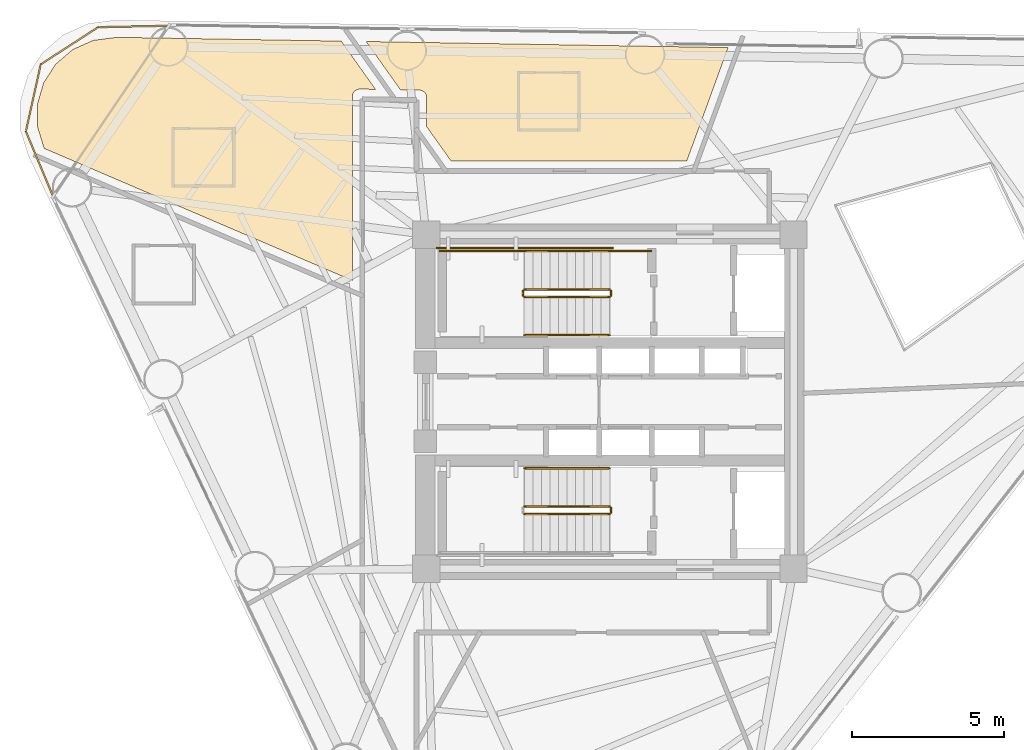
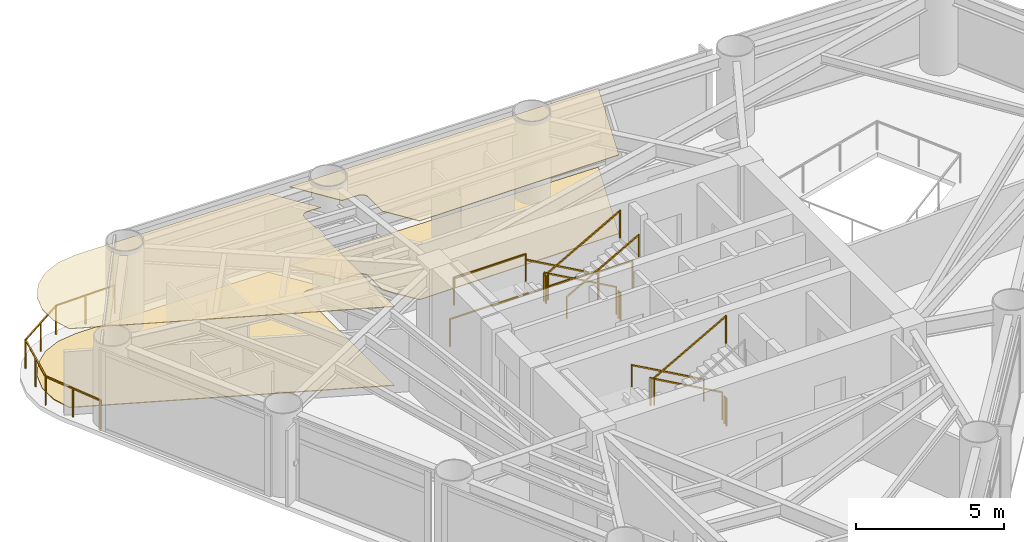
# One storey, part 9 of 10: 14 railings, 4 coverings.
"""IFC4 building model written with IfcOpenShell, lengths in metres."""

from ifc_helpers import new_model, si_unit, direction, frame, origin, origin_2d, place, context, subcontext, project, spatial, polyline, rectangle, outline, extrude, material, layer, layer_set, type_object, element, save


model = new_model("IFC4")

# Units and contexts
model_context = context("Model", 3, precision=1e-05, world=origin(), true_north=direction((0.0, 1.0)))
body_context = subcontext(model_context, "Body", "Model", "MODEL_VIEW")
ifc_project = project(units=[si_unit("LENGTHUNIT", "METRE"), si_unit("AREAUNIT", "SQUARE_METRE"), si_unit("VOLUMEUNIT", "CUBIC_METRE"), si_unit("PLANEANGLEUNIT", "RADIAN"), si_unit("MASSUNIT", "GRAM", prefix="KILO")], contexts=[model_context])

# Site, building, storey
site_placement = place(None, origin())
site = spatial("IfcSite", under=ifc_project, at=site_placement, CompositionType="ELEMENT")
building_placement = place(site_placement, origin())
building = spatial("IfcBuilding", under=site, at=building_placement, Name="Yunling Apex Tower", CompositionType="ELEMENT")
storey_placement = place(building_placement, frame((0.0, 0.0, 139.85009765625)))
storey = spatial("IfcBuildingStorey", under=building, at=storey_placement, Name="L34", CompositionType="ELEMENT", Elevation=139.85009765625)

# Coverings
ifc_material_1 = material(Name="Acoustic mineral fibre ceiling")
ifc_layer_1 = layer(ifc_material_1, 0.02490234375)
ifc_layer_set_1 = layer_set([ifc_layer_1], Name="Acoustic mineral fibre ceiling")
covering_type_1 = type_object("IfcCoveringType", Name="CV-CLG-1", PredefinedType="CEILING", material=ifc_layer_set_1)
covering_1_placement = place(storey_placement, frame((0.0, 0.0, 3.244873046875)))
element("IfcCovering", 1, at=covering_1_placement, inside=storey, type_object=covering_type_1, Name="CV-CL-SP-L34-GR05", PredefinedType="CEILING", context=body_context, shape_type="SweptSolid", body=[
    extrude(outline(polyline([(3.89306640625, 11.660888671875), (2.53515625, 7.929931640625), (-5.230712890625, 7.929931640625), (-6.030029296875, 9.0546875), (-6.030029296875, 10.01513671875), (-6.03076171875, 10.036865234375), (-6.034912109375, 10.0615234375), (-6.03955078125, 10.080810546875), (-6.04833984375, 10.107177734375), (-6.060546875, 10.131103515625), (-6.070556640625, 10.148193359375), (-6.083251953125, 10.166015625), (-6.1025390625, 10.1884765625), (-6.12109375, 10.204345703125), (-6.13818359375, 10.2177734375), (-6.15966796875, 10.230712890625), (-6.180419921875, 10.240966796875), (-6.202392578125, 10.2490234375), (-6.228271484375, 10.256591796875), (-6.25390625, 10.260009765625), (-6.27001953125, 10.26123046875), (-6.89501953125, 10.271728515625), (-8.024169921875, 11.86083984375), (3.89306640625, 11.660888671875)])), origin(), (0.0, 0.0, 1.0), 0.025146484375),
])
covering_2_placement = place(storey_placement, frame((0.0, 0.0, 3.244873046875)))
element("IfcCovering", 2, at=covering_2_placement, inside=storey, type_object=covering_type_1, Name="CV-CL-SP-L34-GR06", PredefinedType="CEILING", context=body_context, shape_type="SweptSolid", body=[
    extrude(outline(polyline([(-18.6455078125, 10.4951171875), (-18.245849609375, 11.11669921875), (-17.68505859375, 11.597900390625), (-17.010009765625, 11.8984375), (-16.235595703125, 11.99853515625), (-8.84375, 11.87451171875), (-7.71435546875, 10.285400390625), (-8.231201171875, 10.294189453125), (-8.251220703125, 10.29345703125), (-8.2763671875, 10.289794921875), (-8.2978515625, 10.28466796875), (-8.322998046875, 10.276611328125), (-8.3466796875, 10.265380859375), (-8.365234375, 10.25439453125), (-8.386962890625, 10.2392578125), (-8.40478515625, 10.222900390625), (-8.42333984375, 10.20361328125), (-8.437255859375, 10.18359375), (-8.448974609375, 10.165771484375), (-8.4609375, 10.140625), (-8.4697265625, 10.11572265625), (-8.47509765625, 10.094482421875), (-8.479248046875, 10.069580078125), (-8.47998046875, 10.047607421875), (-8.47998046875, 3.993408203125), (-18.625732421875, 8.342041015625), (-18.843505859375, 9.046142578125), (-18.850341796875, 9.784912109375), (-18.6455078125, 10.4951171875)])), origin(), (0.0, 0.0, 1.0), 0.025146484375),
])
ifc_material_2 = material(Name="Polished granite stone", Category="masonry")
ifc_layer_2 = layer(ifc_material_2, 0.030029296875)
ifc_layer_set_2 = layer_set([ifc_layer_2], Name="Polished granite stone")
covering_type_2 = type_object("IfcCoveringType", Name="CV-FLR-1", PredefinedType="FLOORING", material=ifc_layer_set_2)
covering_3_placement = place(storey_placement, origin())
element("IfcCovering", 3, at=covering_3_placement, inside=storey, type_object=covering_type_2, Name="CV-FL-SP-L34-GR05", PredefinedType="FLOORING", context=body_context, shape_type="SweptSolid", body=[
    extrude(outline(polyline([(3.89306640625, 11.660888671875), (2.53515625, 7.929931640625), (-5.230712890625, 7.929931640625), (-6.030029296875, 9.0546875), (-6.030029296875, 10.01513671875), (-6.03076171875, 10.036865234375), (-6.034912109375, 10.0615234375), (-6.03955078125, 10.080810546875), (-6.04833984375, 10.107177734375), (-6.060546875, 10.131103515625), (-6.070556640625, 10.148193359375), (-6.083251953125, 10.166015625), (-6.1025390625, 10.1884765625), (-6.12109375, 10.204345703125), (-6.13818359375, 10.2177734375), (-6.15966796875, 10.230712890625), (-6.180419921875, 10.240966796875), (-6.202392578125, 10.2490234375), (-6.228271484375, 10.256591796875), (-6.25390625, 10.260009765625), (-6.27001953125, 10.26123046875), (-6.89501953125, 10.271728515625), (-8.024169921875, 11.86083984375), (3.89306640625, 11.660888671875)])), origin(), (0.0, 0.0, 1.0), 0.02978515625),
])
covering_4_placement = place(storey_placement, origin())
element("IfcCovering", 4, at=covering_4_placement, inside=storey, type_object=covering_type_2, Name="CV-FL-SP-L34-GR06", PredefinedType="FLOORING", context=body_context, shape_type="SweptSolid", body=[
    extrude(outline(polyline([(-18.6455078125, 10.4951171875), (-18.245849609375, 11.11669921875), (-17.68505859375, 11.597900390625), (-17.010009765625, 11.8984375), (-16.235595703125, 11.99853515625), (-8.84375, 11.87451171875), (-7.71435546875, 10.285400390625), (-8.231201171875, 10.294189453125), (-8.251220703125, 10.29345703125), (-8.2763671875, 10.289794921875), (-8.2978515625, 10.28466796875), (-8.322998046875, 10.276611328125), (-8.3466796875, 10.265380859375), (-8.365234375, 10.25439453125), (-8.386962890625, 10.2392578125), (-8.40478515625, 10.222900390625), (-8.42333984375, 10.20361328125), (-8.437255859375, 10.18359375), (-8.448974609375, 10.165771484375), (-8.4609375, 10.140625), (-8.4697265625, 10.11572265625), (-8.47509765625, 10.094482421875), (-8.479248046875, 10.069580078125), (-8.47998046875, 10.047607421875), (-8.47998046875, 3.993408203125), (-18.625732421875, 8.342041015625), (-18.843505859375, 9.046142578125), (-18.850341796875, 9.784912109375), (-18.6455078125, 10.4951171875)])), origin(), (0.0, 0.0, 1.0), 0.02978515625),
])

# Railings
ifc_material_3 = material(Name="Bronze anodised aluminium", Category="aluminium")
railing_type_1 = type_object("IfcRailingType", Name="RL-BAL-1200", PredefinedType="BALUSTRADE", material=ifc_material_3)
railing_1_placement = place(storey_placement, frame((-18.331298828125, 6.7578125, 0.0)))
element("IfcRailing", 5, at=railing_1_placement, inside=storey, type_object=railing_type_1, Name="RL-CRNSILL-L34-2", PredefinedType="BALUSTRADE", context=body_context, shape_type="SweptSolid", body=[
    extrude(rectangle(XDim=0.0439453125, YDim=0.0439453125, at=origin_2d()), origin(), (0.0, 0.0, 1.0), 1.199951171875),
    extrude(rectangle(XDim=0.0439453125, YDim=0.0439453125, at=origin_2d()), frame((-0.896240234375, 2.142578125, 0.0)), (0.0, 0.0, 1.0), 1.199951171875),
    extrude(rectangle(XDim=0.050048828125, YDim=0.050048828125, at=origin_2d()), frame((-0.014892578125, 0.035400390625, 1.1748046875), z_axis=(-0.385898856138, 0.92254109547, 0.0), x_axis=(-0.92254109547, -0.385898856138, 0.0)), (0.0, 0.0, 1.0), 2.245849609375),
    extrude(rectangle(XDim=0.0439453125, YDim=0.0439453125, at=origin_2d()), frame((-0.4482421875, 1.0712890625, 0.0)), (0.0, 0.0, 1.0), 1.14599609375),
    extrude(rectangle(XDim=0.0439453125, YDim=0.0439453125, at=origin_2d()), frame((-0.407958984375, 4.349609375, 0.0)), (0.0, 0.0, 1.0), 1.199951171875),
    extrude(rectangle(XDim=0.050048828125, YDim=0.050048828125, at=origin_2d()), frame((-0.887939453125, 2.179931640625, 1.1748046875), z_axis=(0.216015473483, 0.976389940145, 0.0), x_axis=(-0.976389940145, 0.216015473483, 0.0)), (0.0, 0.0, 1.0), 2.183837890625),
    extrude(rectangle(XDim=0.0439453125, YDim=0.0439453125, at=origin_2d()), frame((-0.652099609375, 3.24609375, 0.0)), (0.0, 0.0, 1.0), 1.14599609375),
    extrude(rectangle(XDim=0.0439453125, YDim=0.0439453125, at=origin_2d()), frame((1.482666015625, 5.574951171875, 0.0)), (0.0, 0.0, 1.0), 1.199951171875),
    extrude(rectangle(XDim=0.050048828125, YDim=0.050048828125, at=origin_2d()), frame((-0.375732421875, 4.370361328125, 1.1748046875), z_axis=(0.83916580884, 0.543875670786, 0.0), x_axis=(-0.543875670786, 0.83916580884, 0.0)), (0.0, 0.0, 1.0), 2.17626953125),
    extrude(rectangle(XDim=0.0439453125, YDim=0.0439453125, at=origin_2d()), frame((0.537353515625, 4.96240234375, 0.0)), (0.0, 0.0, 1.0), 1.14599609375),
    extrude(rectangle(XDim=0.0439453125, YDim=0.0439453125, at=origin_2d()), frame((3.805419921875, 5.6220703125, 0.0)), (0.0, 0.0, 1.0), 1.199951171875),
    extrude(rectangle(XDim=0.050048828125, YDim=0.050048828125, at=origin_2d()), frame((1.52099609375, 5.57568359375, 1.1748046875), z_axis=(0.999794304726, 0.020281721759, 0.0), x_axis=(-0.020281721759, 0.999794304726, 0.0)), (0.0, 0.0, 1.0), 2.24658203125),
    extrude(rectangle(XDim=0.0439453125, YDim=0.0439453125, at=origin_2d()), frame((2.64404296875, 5.5986328125, 0.0)), (0.0, 0.0, 1.0), 1.14599609375),
])
ifc_material_4 = material(Name="Steel Q355B", Category="steel")
railing_type_2 = type_object("IfcRailingType", Name="RL-GRD-1150", PredefinedType="GUARDRAIL", material=ifc_material_4)
railing_2_placement = place(storey_placement, frame((-0.010009765625, 3.699951171875, 0.15673828125)))
element("IfcRailing", 6, at=railing_2_placement, inside=storey, type_object=railing_type_2, Name="L34 ST-1 stair guard 1", PredefinedType="GUARDRAIL", context=body_context, shape_type="SweptSolid", body=[
    extrude(rectangle(XDim=0.0439453125, YDim=0.0439453125, at=origin_2d()), origin(), (0.0, 0.0, 1.0), 1.14990234375),
    extrude(rectangle(XDim=0.0439453125, YDim=0.0439453125, at=origin_2d()), frame((-2.800048828125, 0.0, 1.568115234375)), (0.0, 0.0, 1.0), 1.14990234375),
    extrude(rectangle(XDim=0.050048828125, YDim=0.050048828125, at=origin_2d()), frame((-0.033447265625, 0.0, 1.1435546875), z_axis=(-0.872494340497, 0.0, 0.48862421737), x_axis=(0.0, -1.0, 0.0)), (0.0, 0.0, 1.0), 3.132568359375),
])
railing_3_placement = place(storey_placement, frame((-2.860107421875, 3.64990234375, 1.724853515625)))
element("IfcRailing", 7, at=railing_3_placement, inside=storey, type_object=railing_type_2, Name="L34 ST-1 stair guard 2", PredefinedType="GUARDRAIL", context=body_context, shape_type="SweptSolid", body=[
    extrude(rectangle(XDim=0.0439453125, YDim=0.0439453125, at=origin_2d()), origin(), (0.0, 0.0, 1.0), 1.14990234375),
    extrude(rectangle(XDim=0.0439453125, YDim=0.0439453125, at=origin_2d()), frame((0.0, -0.14990234375, 0.0)), (0.0, 0.0, 1.0), 1.14990234375),
    extrude(rectangle(XDim=0.050048828125, YDim=0.050048828125, at=origin_2d()), frame((0.0, -0.038330078125, 1.125), z_axis=(0.0, -1.0, 0.0), x_axis=(1.0, 0.0, 0.0)), (0.0, 0.0, 1.0), 0.0732421875),
])
railing_4_placement = place(storey_placement, frame((-2.81005859375, 4.9599609375, 1.724853515625)))
element("IfcRailing", 8, at=railing_4_placement, inside=storey, type_object=railing_type_2, Name="L34 ST-1 stair guard 3", PredefinedType="GUARDRAIL", context=body_context, shape_type="SweptSolid", body=[
    extrude(rectangle(XDim=0.0439453125, YDim=0.0439453125, at=origin_2d()), origin(), (0.0, 0.0, 1.0), 1.14990234375),
    extrude(rectangle(XDim=0.0439453125, YDim=0.0439453125, at=origin_2d()), frame((-2.7900390625, 0.0, 0.0)), (0.0, 0.0, 1.0), 1.14990234375),
    extrude(rectangle(XDim=0.050048828125, YDim=0.050048828125, at=origin_2d()), frame((-0.038330078125, 0.0, 1.125), z_axis=(-1.0, 0.0, 0.0), x_axis=(0.0, -1.0, 0.0)), (0.0, 0.0, 1.0), 2.71337890625),
])
railing_5_placement = place(storey_placement, frame((-2.81005859375, 3.449951171875, 1.8818359375)))
element("IfcRailing", 9, at=railing_5_placement, inside=storey, type_object=railing_type_2, Name="L34 ST-1 stair guard 4", PredefinedType="GUARDRAIL", context=body_context, shape_type="SweptSolid", body=[
    extrude(rectangle(XDim=0.0439453125, YDim=0.0439453125, at=origin_2d()), origin(), (0.0, 0.0, 1.0), 1.14990234375),
    extrude(rectangle(XDim=0.0439453125, YDim=0.0439453125, at=origin_2d()), frame((2.800048828125, 0.0, 1.568115234375)), (0.0, 0.0, 1.0), 1.14990234375),
    extrude(rectangle(XDim=0.050048828125, YDim=0.050048828125, at=origin_2d()), frame((0.033447265625, 0.0, 1.1435546875), z_axis=(0.872494340497, 0.0, 0.48862421737), x_axis=(0.0, 1.0, 0.0)), (0.0, 0.0, 1.0), 3.132568359375),
])
railing_6_placement = place(storey_placement, frame((0.0400390625, 3.64990234375, 0.0)))
element("IfcRailing", 10, at=railing_6_placement, inside=storey, type_object=railing_type_2, Name="L34 ST-1 stair guard 5", PredefinedType="GUARDRAIL", context=body_context, shape_type="SweptSolid", body=[
    extrude(rectangle(XDim=0.0439453125, YDim=0.0439453125, at=origin_2d()), origin(), (0.0, 0.0, 1.0), 1.14990234375),
    extrude(rectangle(XDim=0.0439453125, YDim=0.0439453125, at=origin_2d()), frame((0.0, -0.14990234375, 0.0)), (0.0, 0.0, 1.0), 1.14990234375),
    extrude(rectangle(XDim=0.050048828125, YDim=0.050048828125, at=origin_2d()), frame((0.0, -0.038330078125, 1.125), z_axis=(0.0, -1.0, 0.0), x_axis=(1.0, 0.0, 0.0)), (0.0, 0.0, 1.0), 0.0732421875),
])
railing_7_placement = place(storey_placement, frame((1.35009765625, 4.9599609375, 0.0)))
element("IfcRailing", 11, at=railing_7_placement, inside=storey, type_object=railing_type_2, Name="L34 ST-1 stair guard 6", PredefinedType="GUARDRAIL", context=body_context, shape_type="SweptSolid", body=[
    extrude(rectangle(XDim=0.0439453125, YDim=0.0439453125, at=origin_2d()), origin(), (0.0, 0.0, 1.0), 1.14990234375),
    extrude(rectangle(XDim=0.0439453125, YDim=0.0439453125, at=origin_2d()), frame((-1.360107421875, 0.0, 0.0)), (0.0, 0.0, 1.0), 1.14990234375),
    extrude(rectangle(XDim=0.050048828125, YDim=0.050048828125, at=origin_2d()), frame((-0.038330078125, 0.0, 1.125), z_axis=(-1.0, 0.0, 0.0), x_axis=(0.0, -1.0, 0.0)), (0.0, 0.0, 1.0), 1.283447265625),
])
railing_8_placement = place(storey_placement, frame((0.090087890625, 5.06005859375, 0.0)))
element("IfcRailing", 12, at=railing_8_placement, inside=storey, type_object=railing_type_2, Name="L34 ST-1 stair guard 7", PredefinedType="GUARDRAIL", context=body_context, shape_type="SweptSolid", body=[
    extrude(rectangle(XDim=0.0439453125, YDim=0.0439453125, at=origin_2d()), origin(), (0.0, 0.0, 1.0), 1.14990234375),
    extrude(rectangle(XDim=0.0439453125, YDim=0.0439453125, at=origin_2d()), frame((-5.7900390625, 0.0, 0.0)), (0.0, 0.0, 1.0), 1.14990234375),
    extrude(rectangle(XDim=0.050048828125, YDim=0.050048828125, at=origin_2d()), frame((-0.038330078125, 0.0, 1.125), z_axis=(-1.0, 0.0, 0.0), x_axis=(0.0, -1.0, 0.0)), (0.0, 0.0, 1.0), 5.71337890625),
])
railing_9_placement = place(storey_placement, frame((-0.010009765625, -3.449951171875, 0.15673828125)))
element("IfcRailing", 13, at=railing_9_placement, inside=storey, type_object=railing_type_2, Name="L34 ST-2 stair guard 1", PredefinedType="GUARDRAIL", context=body_context, shape_type="SweptSolid", body=[
    extrude(rectangle(XDim=0.0439453125, YDim=0.0439453125, at=origin_2d()), origin(), (0.0, 0.0, 1.0), 1.14990234375),
    extrude(rectangle(XDim=0.0439453125, YDim=0.0439453125, at=origin_2d()), frame((-2.800048828125, 0.0, 1.568115234375)), (0.0, 0.0, 1.0), 1.14990234375),
    extrude(rectangle(XDim=0.050048828125, YDim=0.050048828125, at=origin_2d()), frame((-0.033447265625, 0.0, 1.1435546875), z_axis=(-0.872494340497, 0.0, 0.48862421737), x_axis=(0.0, -1.0, 0.0)), (0.0, 0.0, 1.0), 3.132568359375),
])
railing_10_placement = place(storey_placement, frame((-2.81005859375, -3.699951171875, 1.8818359375)))
element("IfcRailing", 14, at=railing_10_placement, inside=storey, type_object=railing_type_2, Name="L34 ST-2 stair guard 4", PredefinedType="GUARDRAIL", context=body_context, shape_type="SweptSolid", body=[
    extrude(rectangle(XDim=0.0439453125, YDim=0.0439453125, at=origin_2d()), origin(), (0.0, 0.0, 1.0), 1.14990234375),
    extrude(rectangle(XDim=0.0439453125, YDim=0.0439453125, at=origin_2d()), frame((2.800048828125, 0.0, 1.568115234375)), (0.0, 0.0, 1.0), 1.14990234375),
    extrude(rectangle(XDim=0.050048828125, YDim=0.050048828125, at=origin_2d()), frame((0.033447265625, 0.0, 1.1435546875), z_axis=(0.872494340497, 0.0, 0.48862421737), x_axis=(0.0, 1.0, 0.0)), (0.0, 0.0, 1.0), 3.132568359375),
])
railing_11_placement = place(storey_placement, frame((0.0400390625, -3.5, 0.0)))
element("IfcRailing", 15, at=railing_11_placement, inside=storey, type_object=railing_type_2, Name="L34 ST-2 stair guard 5", PredefinedType="GUARDRAIL", context=body_context, shape_type="SweptSolid", body=[
    extrude(rectangle(XDim=0.0439453125, YDim=0.0439453125, at=origin_2d()), origin(), (0.0, 0.0, 1.0), 1.14990234375),
    extrude(rectangle(XDim=0.0439453125, YDim=0.0439453125, at=origin_2d()), frame((0.0, -0.14990234375, 0.0)), (0.0, 0.0, 1.0), 1.14990234375),
    extrude(rectangle(XDim=0.050048828125, YDim=0.050048828125, at=origin_2d()), frame((0.0, -0.038330078125, 1.125), z_axis=(0.0, -1.0, 0.0), x_axis=(1.0, 0.0, 0.0)), (0.0, 0.0, 1.0), 0.0732421875),
])
ifc_material_5 = material(Name="Silver anodised aluminium", Category="aluminium")
railing_type_3 = type_object("IfcRailingType", Name="RL-HND-900", PredefinedType="HANDRAIL", material=ifc_material_5)
railing_12_placement = place(storey_placement, frame((-0.010009765625, 4.9599609375, 0.15673828125)))
element("IfcRailing", 16, at=railing_12_placement, inside=storey, type_object=railing_type_3, Name="L34 ST-1 stair handrail 1", PredefinedType="HANDRAIL", context=body_context, shape_type="SweptSolid", body=[
    extrude(rectangle(XDim=0.0439453125, YDim=0.0439453125, at=origin_2d()), origin(), (0.0, 0.0, 1.0), 0.919921875),
    extrude(rectangle(XDim=0.0439453125, YDim=0.0439453125, at=origin_2d()), frame((-2.800048828125, 0.0, 1.568115234375)), (0.0, 0.0, 1.0), 0.919921875),
    extrude(rectangle(XDim=0.050048828125, YDim=0.050048828125, at=origin_2d()), frame((-0.033447265625, 0.0, 0.91357421875), z_axis=(-0.872494340497, 0.0, 0.48862421737), x_axis=(0.0, -1.0, 0.0)), (0.0, 0.0, 1.0), 3.132568359375),
])
railing_13_placement = place(storey_placement, frame((-2.81005859375, 2.18994140625, 1.8818359375)))
element("IfcRailing", 17, at=railing_13_placement, inside=storey, type_object=railing_type_3, Name="L34 ST-1 stair handrail 2", PredefinedType="HANDRAIL", context=body_context, shape_type="SweptSolid", body=[
    extrude(rectangle(XDim=0.0439453125, YDim=0.0439453125, at=origin_2d()), origin(), (0.0, 0.0, 1.0), 0.919921875),
    extrude(rectangle(XDim=0.0439453125, YDim=0.0439453125, at=origin_2d()), frame((2.800048828125, 0.0, 1.568115234375)), (0.0, 0.0, 1.0), 0.919921875),
    extrude(rectangle(XDim=0.050048828125, YDim=0.050048828125, at=origin_2d()), frame((0.033447265625, 0.0, 0.91357421875), z_axis=(0.872494340497, 0.0, 0.48862421737), x_axis=(0.0, 1.0, 0.0)), (0.0, 0.0, 1.0), 3.132568359375),
])
railing_14_placement = place(storey_placement, frame((-0.010009765625, -2.18994140625, 0.15673828125)))
element("IfcRailing", 18, at=railing_14_placement, inside=storey, type_object=railing_type_3, Name="L34 ST-2 stair handrail 1", PredefinedType="HANDRAIL", context=body_context, shape_type="SweptSolid", body=[
    extrude(rectangle(XDim=0.0439453125, YDim=0.0439453125, at=origin_2d()), origin(), (0.0, 0.0, 1.0), 0.919921875),
    extrude(rectangle(XDim=0.0439453125, YDim=0.0439453125, at=origin_2d()), frame((-2.800048828125, 0.0, 1.568115234375)), (0.0, 0.0, 1.0), 0.919921875),
    extrude(rectangle(XDim=0.050048828125, YDim=0.050048828125, at=origin_2d()), frame((-0.033447265625, 0.0, 0.91357421875), z_axis=(-0.872494340497, 0.0, 0.48862421737), x_axis=(0.0, -1.0, 0.0)), (0.0, 0.0, 1.0), 3.132568359375),
])

save(model, "model.ifc")
